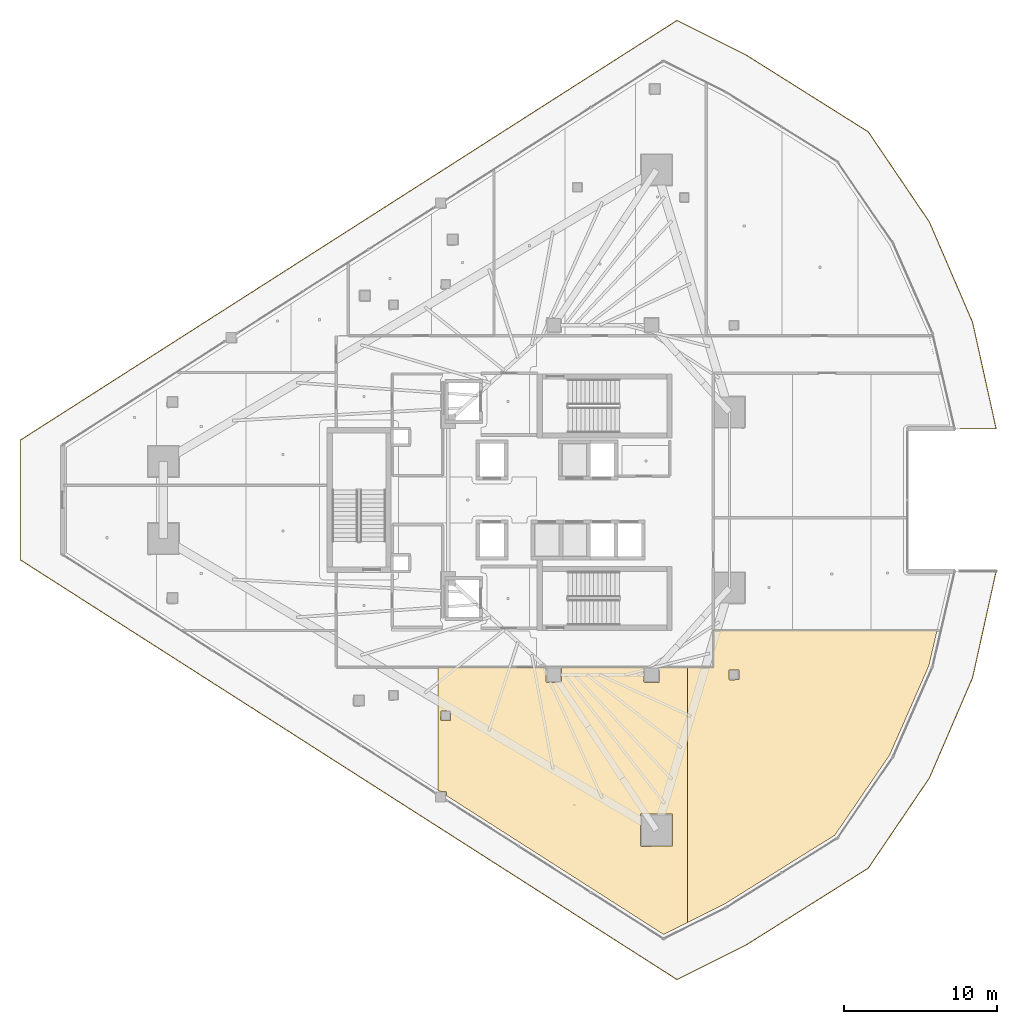
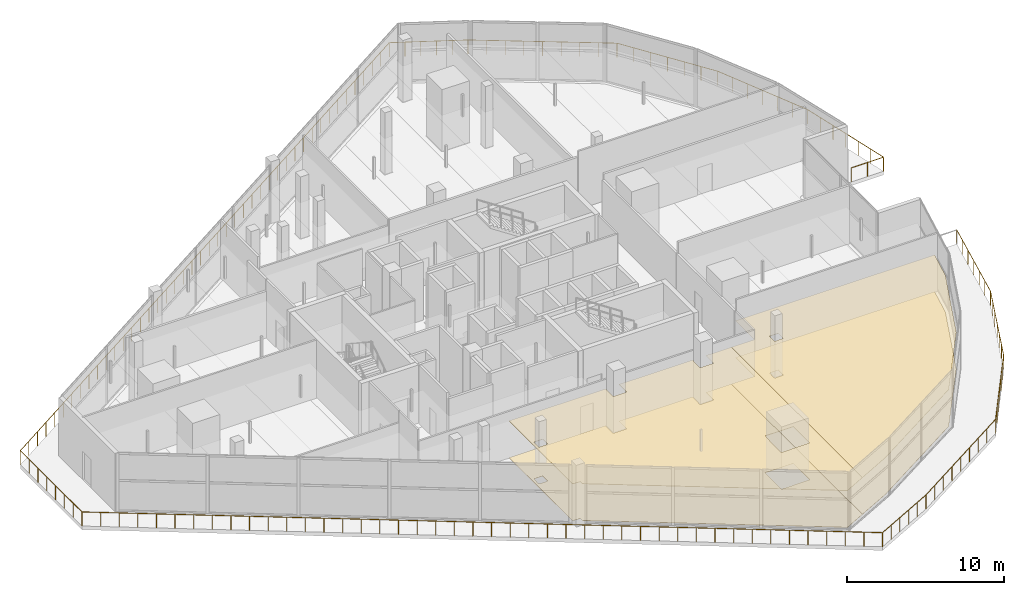
# One storey, part 31 of 36: 4 coverings, 1 railing.
"""IFC4 building model written with IfcOpenShell, lengths in metres."""

from ifc_helpers import new_model, si_unit, direction, frame, origin, origin_2d, place, context, subcontext, project, spatial, polyline, circle, outline, extrude, material, layer, layer_set, type_object, element, save


model = new_model("IFC4")

# Units and contexts
model_context = context("Model", 3, precision=1e-05, world=origin(), true_north=direction((0.0, 1.0)))
body_context = subcontext(model_context, "Body", "Model", "MODEL_VIEW")
ifc_project = project(units=[si_unit("LENGTHUNIT", "METRE"), si_unit("AREAUNIT", "SQUARE_METRE"), si_unit("VOLUMEUNIT", "CUBIC_METRE"), si_unit("PLANEANGLEUNIT", "RADIAN"), si_unit("MASSUNIT", "GRAM", prefix="KILO")], contexts=[model_context])

# Site, building, storey
site_placement = place(None, origin())
site = spatial("IfcSite", under=ifc_project, at=site_placement, CompositionType="ELEMENT")
building_placement = place(site_placement, origin())
building = spatial("IfcBuilding", under=site, at=building_placement, Name="Qorvath Tower", CompositionType="ELEMENT")
storey_placement = place(building_placement, frame((0.0, 0.0, 180.0)))
storey = spatial("IfcBuildingStorey", under=building, at=storey_placement, Name="L41", CompositionType="ELEMENT", Elevation=180.0)

# Coverings
ifc_material_1 = material(Name="Acoustic mineral fibre ceiling tile", Category="gypsum")
ifc_layer_1 = layer(ifc_material_1, 0.030029296875)
ifc_layer_set_1 = layer_set([ifc_layer_1], Name="COV-CEIL")
covering_type_1 = type_object("IfcCoveringType", Name="COV-CEIL", PredefinedType="CEILING", material=ifc_layer_set_1)
covering_1_placement = place(storey_placement, frame((0.0, 0.0, 2.85009765625)))
element("IfcCovering", 1, at=covering_1_placement, inside=storey, type_object=covering_type_1, Name="L41 Suspended Acoustic Ceiling 020", PredefinedType="CEILING", context=body_context, shape_type="SweptSolid", body=[
    extrude(outline(polyline([(-14.847412109375, -27.68359375), (-14.847412109375, -10.962890625), (-16.705322265625, -10.962890625), (-16.70751953125, -11.9423828125), (-17.64990234375, -11.9599609375), (-17.7099609375, -11.89990234375), (-17.694580078125, -10.962890625), (-23.105224609375, -10.962890625), (-23.107666015625, -11.9423828125), (-24.050048828125, -11.9599609375), (-24.110107421875, -11.89990234375), (-24.0947265625, -10.962890625), (-31.19580078125, -10.962890625), (-31.19580078125, -19.00390625), (-31.083740234375, -19.075439453125), (-30.648681640625, -19.093017578125), (-30.631103515625, -19.36474609375), (-16.400390625, -28.460205078125), (-14.847412109375, -27.68359375)]), holes=[polyline([(-17.931640625, -22.627197265625), (-17.9140625, -20.584716796875), (-15.829345703125, -20.584716796875), (-15.829345703125, -22.66943359375), (-17.87158203125, -22.68701171875), (-17.931640625, -22.627197265625)]), polyline([(-31.01220703125, -14.3994140625), (-30.99462890625, -13.806884765625), (-30.35986328125, -13.806884765625), (-30.35986328125, -14.441650390625), (-30.9521484375, -14.459228515625), (-31.01220703125, -14.3994140625)])]), origin(), (0.0, 0.0, 1.0), 0.030029296875),
])
covering_2_placement = place(storey_placement, frame((0.0, 0.0, 2.85009765625)))
element("IfcCovering", 2, at=covering_2_placement, inside=storey, type_object=covering_type_1, Name="L41 Suspended Acoustic Ceiling 021", PredefinedType="CEILING", context=body_context, shape_type="SweptSolid", body=[
    extrude(outline(polyline([(-12.432861328125, -26.476318359375), (-5.192626953125, -21.959228515625), (-1.6025390625, -16.708251953125), (0.96728515625, -10.856689453125), (1.5009765625, -8.554931640625), (-13.136962890625, -8.554931640625), (-13.14208984375, -10.962890625), (-14.847412109375, -10.962890625), (-14.847412109375, -27.68359375), (-12.432861328125, -26.476318359375)]), holes=[polyline([(-12.135009765625, -11.72509765625), (-12.117431640625, -11.132568359375), (-11.482666015625, -11.132568359375), (-11.482666015625, -11.767333984375), (-12.074951171875, -11.784912109375), (-12.135009765625, -11.72509765625)])]), origin(), (0.0, 0.0, 1.0), 0.030029296875),
])
ifc_material_2 = material(Name="Low-VOC modular carpet tile", Category="textile")
ifc_layer_2 = layer(ifc_material_2, 0.014892578125)
ifc_layer_set_2 = layer_set([ifc_layer_2], Name="COV-FLOOR-CPT")
covering_type_2 = type_object("IfcCoveringType", Name="COV-FLOOR-CPT", PredefinedType="FLOORING", material=ifc_layer_set_2)
covering_3_placement = place(storey_placement, origin())
element("IfcCovering", 3, at=covering_3_placement, inside=storey, type_object=covering_type_2, Name="L41 Floor Finish 020", PredefinedType="FLOORING", context=body_context, shape_type="SweptSolid", body=[
    extrude(outline(polyline([(-14.847412109375, -27.68359375), (-14.847412109375, -10.962890625), (-16.705322265625, -10.962890625), (-16.70751953125, -11.9423828125), (-17.64990234375, -11.9599609375), (-17.7099609375, -11.89990234375), (-17.694580078125, -10.962890625), (-23.105224609375, -10.962890625), (-23.107666015625, -11.9423828125), (-24.050048828125, -11.9599609375), (-24.110107421875, -11.89990234375), (-24.0947265625, -10.962890625), (-31.19580078125, -10.962890625), (-31.19580078125, -19.00390625), (-31.083740234375, -19.075439453125), (-30.648681640625, -19.093017578125), (-30.631103515625, -19.36474609375), (-16.400390625, -28.460205078125), (-14.847412109375, -27.68359375)]), holes=[polyline([(-17.931640625, -22.627197265625), (-17.9140625, -20.584716796875), (-15.829345703125, -20.584716796875), (-15.829345703125, -22.66943359375), (-17.87158203125, -22.68701171875), (-17.931640625, -22.627197265625)]), polyline([(-31.01220703125, -14.3994140625), (-30.99462890625, -13.806884765625), (-30.35986328125, -13.806884765625), (-30.35986328125, -14.441650390625), (-30.9521484375, -14.459228515625), (-31.01220703125, -14.3994140625)])]), origin(), (0.0, 0.0, 1.0), 0.014892578125),
])
covering_4_placement = place(storey_placement, origin())
element("IfcCovering", 4, at=covering_4_placement, inside=storey, type_object=covering_type_2, Name="L41 Floor Finish 021", PredefinedType="FLOORING", context=body_context, shape_type="SweptSolid", body=[
    extrude(outline(polyline([(-12.432861328125, -26.476318359375), (-5.192626953125, -21.959228515625), (-1.6025390625, -16.708251953125), (0.96728515625, -10.856689453125), (1.5009765625, -8.554931640625), (-13.136962890625, -8.554931640625), (-13.14208984375, -10.962890625), (-14.847412109375, -10.962890625), (-14.847412109375, -27.68359375), (-12.432861328125, -26.476318359375)]), holes=[polyline([(-12.135009765625, -11.72509765625), (-12.117431640625, -11.132568359375), (-11.482666015625, -11.132568359375), (-11.482666015625, -11.767333984375), (-12.074951171875, -11.784912109375), (-12.135009765625, -11.72509765625)])]), origin(), (0.0, 0.0, 1.0), 0.014892578125),
])

# Railing
ifc_material_3 = material(Name="Laminated safety glass and stainless steel AISI 316", Category="steel")
railing_type = type_object("IfcRailingType", Name="RL-EXT-GRD", PredefinedType="GUARDRAIL", material=ifc_material_3)
railing_placement = place(storey_placement, frame((5.381103515625, -4.66552734375, 0.0)))
element("IfcRailing", 5, at=railing_placement, inside=storey, type_object=railing_type, Name="Loggia Perimeter Guardrail L41-1.1", PredefinedType="GUARDRAIL", context=body_context, shape_type="SweptSolid", body=[
    extrude(circle(Radius=0.02392578125, at=origin_2d()), frame((0.0, 0.0, 1.09619140625), z_axis=(-0.216098211534, -0.976371631589, 0.0), x_axis=(0.976371631589, -0.216098211534, 0.0)), (0.0, 0.0, 1.0), 7.14453125),
    extrude(circle(Radius=0.02392578125, at=origin_2d()), frame((-1.5439453125, -6.975830078125, 1.09619140625), z_axis=(-0.39547356494, -0.918477359238, 0.0), x_axis=(0.918477359238, -0.39547356494, 0.0)), (0.0, 0.0, 1.0), 7.14453125),
    extrude(circle(Radius=0.02392578125, at=origin_2d()), frame((-4.369384765625, -13.537841796875, 1.09619140625), z_axis=(-0.560820188689, -0.827937628061, 0.0), x_axis=(0.827937628061, -0.560820188689, 0.0)), (0.0, 0.0, 1.0), 7.14453125),
    extrude(circle(Radius=0.02392578125, at=origin_2d()), frame((-8.376220703125, -19.453125, 1.09619140625), z_axis=(-0.846502219536, -0.532385191681, 0.0), x_axis=(0.532385191681, -0.846502219536, 0.0)), (0.0, 0.0, 1.0), 9.500732421875),
    extrude(circle(Radius=0.02392578125, at=origin_2d()), frame((-16.418701171875, -24.51123046875, 1.09619140625), z_axis=(-0.894427191, -0.4472135955, 0.0), x_axis=(0.4472135955, -0.894427191, 0.0)), (0.0, 0.0, 1.0), 5.0185546875),
    extrude(circle(Radius=0.02392578125, at=origin_2d()), frame((-20.907470703125, -26.755615234375, 1.09619140625), z_axis=(-0.842601444774, 0.538537654454, 0.0), x_axis=(-0.538537654454, -0.842601444774, 0.0)), (0.0, 0.0, 1.0), 51.052490234375),
    extrude(circle(Radius=0.02392578125, at=origin_2d()), frame((-63.92431640625, 0.738037109375, 1.09619140625), z_axis=(0.0, 1.0, 0.0), x_axis=(-1.0, 0.0, 0.0)), (0.0, 0.0, 1.0), 7.85498046875),
    extrude(circle(Radius=0.02392578125, at=origin_2d()), frame((-63.92431640625, 8.593017578125, 1.09619140625), z_axis=(0.842601444774, 0.538537654454, 0.0), x_axis=(-0.538537654454, 0.842601444774, 0.0)), (0.0, 0.0, 1.0), 51.052490234375),
    extrude(circle(Radius=0.02392578125, at=origin_2d()), frame((-20.907470703125, 36.086669921875, 1.09619140625), z_axis=(0.894427191, -0.4472135955, 0.0), x_axis=(0.4472135955, 0.894427191, 0.0)), (0.0, 0.0, 1.0), 5.0185546875),
    extrude(circle(Radius=0.02392578125, at=origin_2d()), frame((-16.418701171875, 33.84228515625, 1.09619140625), z_axis=(0.846502219536, -0.532385191681, 0.0), x_axis=(0.532385191681, 0.846502219536, 0.0)), (0.0, 0.0, 1.0), 9.500732421875),
    extrude(circle(Radius=0.02392578125, at=origin_2d()), frame((-8.376220703125, 28.7841796875, 1.09619140625), z_axis=(0.560820188689, -0.827937628061, 0.0), x_axis=(0.827937628061, 0.560820188689, 0.0)), (0.0, 0.0, 1.0), 7.14453125),
    extrude(circle(Radius=0.02392578125, at=origin_2d()), frame((-4.369384765625, 22.868896484375, 1.09619140625), z_axis=(0.39547356494, -0.918477359238, 0.0), x_axis=(0.918477359238, 0.39547356494, 0.0)), (0.0, 0.0, 1.0), 7.14453125),
    extrude(circle(Radius=0.02392578125, at=origin_2d()), frame((-1.5439453125, 16.306884765625, 1.09619140625), z_axis=(0.216098211534, -0.976371631589, 0.0), x_axis=(0.976371631589, 0.216098211534, 0.0)), (0.0, 0.0, 1.0), 7.14453125),
    extrude(circle(Radius=0.02392578125, at=origin_2d()), frame((0.0, 9.3310546875, 1.09619140625), z_axis=(-1.0, 0.0, 0.0), x_axis=(0.0, -1.0, 0.0)), (0.0, 0.0, 1.0), 2.36669921875),
    extrude(circle(Radius=0.02099609375, at=origin_2d()), origin(), (0.0, 0.0, 1.0), 1.072021484375),
    extrude(circle(Radius=0.02099609375, at=origin_2d()), frame((-0.25732421875, -1.16259765625, 0.0)), (0.0, 0.0, 1.0), 1.072021484375),
    extrude(circle(Radius=0.02099609375, at=origin_2d()), frame((-0.5146484375, -2.3251953125, 0.0)), (0.0, 0.0, 1.0), 1.072021484375),
    extrude(circle(Radius=0.02099609375, at=origin_2d()), frame((-0.77197265625, -3.48779296875, 0.0)), (0.0, 0.0, 1.0), 1.072021484375),
    extrude(circle(Radius=0.02099609375, at=origin_2d()), frame((-1.029296875, -4.650634765625, 0.0)), (0.0, 0.0, 1.0), 1.072021484375),
    extrude(circle(Radius=0.02099609375, at=origin_2d()), frame((-1.28662109375, -5.813232421875, 0.0)), (0.0, 0.0, 1.0), 1.072021484375),
    extrude(circle(Radius=0.02099609375, at=origin_2d()), frame((-1.5439453125, -6.975830078125, 0.0)), (0.0, 0.0, 1.0), 1.072021484375),
    extrude(circle(Radius=0.02099609375, at=origin_2d()), frame((-2.014892578125, -8.069580078125, 0.0)), (0.0, 0.0, 1.0), 1.072021484375),
    extrude(circle(Radius=0.02099609375, at=origin_2d()), frame((-2.48583984375, -9.1630859375, 0.0)), (0.0, 0.0, 1.0), 1.072021484375),
    extrude(circle(Radius=0.02099609375, at=origin_2d()), frame((-2.95654296875, -10.2568359375, 0.0)), (0.0, 0.0, 1.0), 1.072021484375),
    extrude(circle(Radius=0.02099609375, at=origin_2d()), frame((-3.427490234375, -11.3505859375, 0.0)), (0.0, 0.0, 1.0), 1.072021484375),
    extrude(circle(Radius=0.02099609375, at=origin_2d()), frame((-3.8984375, -12.444091796875, 0.0)), (0.0, 0.0, 1.0), 1.072021484375),
    extrude(circle(Radius=0.02099609375, at=origin_2d()), frame((-4.369384765625, -13.537841796875, 0.0)), (0.0, 0.0, 1.0), 1.072021484375),
    extrude(circle(Radius=0.02099609375, at=origin_2d()), frame((-5.037109375, -14.523681640625, 0.0)), (0.0, 0.0, 1.0), 1.072021484375),
    extrude(circle(Radius=0.02099609375, at=origin_2d()), frame((-5.705078125, -15.509521484375, 0.0)), (0.0, 0.0, 1.0), 1.072021484375),
    extrude(circle(Radius=0.02099609375, at=origin_2d()), frame((-6.372802734375, -16.49560546875, 0.0)), (0.0, 0.0, 1.0), 1.072021484375),
    extrude(circle(Radius=0.02099609375, at=origin_2d()), frame((-7.04052734375, -17.4814453125, 0.0)), (0.0, 0.0, 1.0), 1.072021484375),
    extrude(circle(Radius=0.02099609375, at=origin_2d()), frame((-7.70849609375, -18.46728515625, 0.0)), (0.0, 0.0, 1.0), 1.072021484375),
    extrude(circle(Radius=0.02099609375, at=origin_2d()), frame((-8.376220703125, -19.453125, 0.0)), (0.0, 0.0, 1.0), 1.072021484375),
    extrude(circle(Radius=0.02099609375, at=origin_2d()), frame((-9.381591796875, -20.08544921875, 0.0)), (0.0, 0.0, 1.0), 1.072021484375),
    extrude(circle(Radius=0.02099609375, at=origin_2d()), frame((-10.38671875, -20.7177734375, 0.0)), (0.0, 0.0, 1.0), 1.072021484375),
    extrude(circle(Radius=0.02099609375, at=origin_2d()), frame((-11.39208984375, -21.349853515625, 0.0)), (0.0, 0.0, 1.0), 1.072021484375),
    extrude(circle(Radius=0.02099609375, at=origin_2d()), frame((-12.3974609375, -21.982177734375, 0.0)), (0.0, 0.0, 1.0), 1.072021484375),
    extrude(circle(Radius=0.02099609375, at=origin_2d()), frame((-13.40283203125, -22.614501953125, 0.0)), (0.0, 0.0, 1.0), 1.072021484375),
    extrude(circle(Radius=0.02099609375, at=origin_2d()), frame((-14.408203125, -23.24658203125, 0.0)), (0.0, 0.0, 1.0), 1.072021484375),
    extrude(circle(Radius=0.02099609375, at=origin_2d()), frame((-15.413330078125, -23.87890625, 0.0)), (0.0, 0.0, 1.0), 1.072021484375),
    extrude(circle(Radius=0.02099609375, at=origin_2d()), frame((-16.418701171875, -24.51123046875, 0.0)), (0.0, 0.0, 1.0), 1.072021484375),
    extrude(circle(Radius=0.02099609375, at=origin_2d()), frame((-17.31640625, -24.960205078125, 0.0)), (0.0, 0.0, 1.0), 1.072021484375),
    extrude(circle(Radius=0.02099609375, at=origin_2d()), frame((-18.214111328125, -25.408935546875, 0.0)), (0.0, 0.0, 1.0), 1.072021484375),
    extrude(circle(Radius=0.02099609375, at=origin_2d()), frame((-19.112060546875, -25.85791015625, 0.0)), (0.0, 0.0, 1.0), 1.072021484375),
    extrude(circle(Radius=0.02099609375, at=origin_2d()), frame((-20.009765625, -26.306640625, 0.0)), (0.0, 0.0, 1.0), 1.072021484375),
    extrude(circle(Radius=0.02099609375, at=origin_2d()), frame((-20.907470703125, -26.755615234375, 0.0)), (0.0, 0.0, 1.0), 1.072021484375),
    extrude(circle(Radius=0.02099609375, at=origin_2d()), frame((-21.907958984375, -26.1162109375, 0.0)), (0.0, 0.0, 1.0), 1.072021484375),
    extrude(circle(Radius=0.02099609375, at=origin_2d()), frame((-22.908203125, -25.476806640625, 0.0)), (0.0, 0.0, 1.0), 1.072021484375),
    extrude(circle(Radius=0.02099609375, at=origin_2d()), frame((-23.90869140625, -24.83740234375, 0.0)), (0.0, 0.0, 1.0), 1.072021484375),
    extrude(circle(Radius=0.02099609375, at=origin_2d()), frame((-24.908935546875, -24.197998046875, 0.0)), (0.0, 0.0, 1.0), 1.072021484375),
    extrude(circle(Radius=0.02099609375, at=origin_2d()), frame((-25.909423828125, -23.55859375, 0.0)), (0.0, 0.0, 1.0), 1.072021484375),
    extrude(circle(Radius=0.02099609375, at=origin_2d()), frame((-26.909912109375, -22.919189453125, 0.0)), (0.0, 0.0, 1.0), 1.072021484375),
    extrude(circle(Radius=0.02099609375, at=origin_2d()), frame((-27.91015625, -22.27978515625, 0.0)), (0.0, 0.0, 1.0), 1.072021484375),
    extrude(circle(Radius=0.02099609375, at=origin_2d()), frame((-28.91064453125, -21.640625, 0.0)), (0.0, 0.0, 1.0), 1.072021484375),
    extrude(circle(Radius=0.02099609375, at=origin_2d()), frame((-29.910888671875, -21.001220703125, 0.0)), (0.0, 0.0, 1.0), 1.072021484375),
    extrude(circle(Radius=0.02099609375, at=origin_2d()), frame((-30.911376953125, -20.36181640625, 0.0)), (0.0, 0.0, 1.0), 1.072021484375),
    extrude(circle(Radius=0.02099609375, at=origin_2d()), frame((-31.911865234375, -19.722412109375, 0.0)), (0.0, 0.0, 1.0), 1.072021484375),
    extrude(circle(Radius=0.02099609375, at=origin_2d()), frame((-32.912109375, -19.0830078125, 0.0)), (0.0, 0.0, 1.0), 1.072021484375),
    extrude(circle(Radius=0.02099609375, at=origin_2d()), frame((-33.91259765625, -18.443603515625, 0.0)), (0.0, 0.0, 1.0), 1.072021484375),
    extrude(circle(Radius=0.02099609375, at=origin_2d()), frame((-34.912841796875, -17.80419921875, 0.0)), (0.0, 0.0, 1.0), 1.072021484375),
    extrude(circle(Radius=0.02099609375, at=origin_2d()), frame((-35.913330078125, -17.164794921875, 0.0)), (0.0, 0.0, 1.0), 1.072021484375),
    extrude(circle(Radius=0.02099609375, at=origin_2d()), frame((-36.913818359375, -16.525390625, 0.0)), (0.0, 0.0, 1.0), 1.072021484375),
    extrude(circle(Radius=0.02099609375, at=origin_2d()), frame((-37.9140625, -15.885986328125, 0.0)), (0.0, 0.0, 1.0), 1.072021484375),
    extrude(circle(Radius=0.02099609375, at=origin_2d()), frame((-38.91455078125, -15.24658203125, 0.0)), (0.0, 0.0, 1.0), 1.072021484375),
    extrude(circle(Radius=0.02099609375, at=origin_2d()), frame((-39.914794921875, -14.607177734375, 0.0)), (0.0, 0.0, 1.0), 1.072021484375),
    extrude(circle(Radius=0.02099609375, at=origin_2d()), frame((-40.915283203125, -13.9677734375, 0.0)), (0.0, 0.0, 1.0), 1.072021484375),
    extrude(circle(Radius=0.02099609375, at=origin_2d()), frame((-41.915771484375, -13.328369140625, 0.0)), (0.0, 0.0, 1.0), 1.072021484375),
    extrude(circle(Radius=0.02099609375, at=origin_2d()), frame((-42.916015625, -12.689208984375, 0.0)), (0.0, 0.0, 1.0), 1.072021484375),
    extrude(circle(Radius=0.02099609375, at=origin_2d()), frame((-43.91650390625, -12.0498046875, 0.0)), (0.0, 0.0, 1.0), 1.072021484375),
    extrude(circle(Radius=0.02099609375, at=origin_2d()), frame((-44.9169921875, -11.410400390625, 0.0)), (0.0, 0.0, 1.0), 1.072021484375),
    extrude(circle(Radius=0.02099609375, at=origin_2d()), frame((-45.917236328125, -10.77099609375, 0.0)), (0.0, 0.0, 1.0), 1.072021484375),
    extrude(circle(Radius=0.02099609375, at=origin_2d()), frame((-46.917724609375, -10.131591796875, 0.0)), (0.0, 0.0, 1.0), 1.072021484375),
    extrude(circle(Radius=0.02099609375, at=origin_2d()), frame((-47.91796875, -9.4921875, 0.0)), (0.0, 0.0, 1.0), 1.072021484375),
    extrude(circle(Radius=0.02099609375, at=origin_2d()), frame((-48.91845703125, -8.852783203125, 0.0)), (0.0, 0.0, 1.0), 1.072021484375),
    extrude(circle(Radius=0.02099609375, at=origin_2d()), frame((-49.9189453125, -8.21337890625, 0.0)), (0.0, 0.0, 1.0), 1.072021484375),
    extrude(circle(Radius=0.02099609375, at=origin_2d()), frame((-50.919189453125, -7.573974609375, 0.0)), (0.0, 0.0, 1.0), 1.072021484375),
    extrude(circle(Radius=0.02099609375, at=origin_2d()), frame((-51.919677734375, -6.9345703125, 0.0)), (0.0, 0.0, 1.0), 1.072021484375),
    extrude(circle(Radius=0.02099609375, at=origin_2d()), frame((-52.919921875, -6.295166015625, 0.0)), (0.0, 0.0, 1.0), 1.072021484375),
    extrude(circle(Radius=0.02099609375, at=origin_2d()), frame((-53.92041015625, -5.65576171875, 0.0)), (0.0, 0.0, 1.0), 1.072021484375),
    extrude(circle(Radius=0.02099609375, at=origin_2d()), frame((-54.9208984375, -5.016357421875, 0.0)), (0.0, 0.0, 1.0), 1.072021484375),
    extrude(circle(Radius=0.02099609375, at=origin_2d()), frame((-55.921142578125, -4.376953125, 0.0)), (0.0, 0.0, 1.0), 1.072021484375),
    extrude(circle(Radius=0.02099609375, at=origin_2d()), frame((-56.921630859375, -3.73779296875, 0.0)), (0.0, 0.0, 1.0), 1.072021484375),
    extrude(circle(Radius=0.02099609375, at=origin_2d()), frame((-57.921875, -3.098388671875, 0.0)), (0.0, 0.0, 1.0), 1.072021484375),
    extrude(circle(Radius=0.02099609375, at=origin_2d()), frame((-58.92236328125, -2.458984375, 0.0)), (0.0, 0.0, 1.0), 1.072021484375),
    extrude(circle(Radius=0.02099609375, at=origin_2d()), frame((-59.9228515625, -1.819580078125, 0.0)), (0.0, 0.0, 1.0), 1.072021484375),
    extrude(circle(Radius=0.02099609375, at=origin_2d()), frame((-60.923095703125, -1.18017578125, 0.0)), (0.0, 0.0, 1.0), 1.072021484375),
    extrude(circle(Radius=0.02099609375, at=origin_2d()), frame((-61.923583984375, -0.540771484375, 0.0)), (0.0, 0.0, 1.0), 1.072021484375),
    extrude(circle(Radius=0.02099609375, at=origin_2d()), frame((-62.923828125, 0.0986328125, 0.0)), (0.0, 0.0, 1.0), 1.072021484375),
    extrude(circle(Radius=0.02099609375, at=origin_2d()), frame((-63.92431640625, 0.738037109375, 0.0)), (0.0, 0.0, 1.0), 1.072021484375),
    extrude(circle(Radius=0.02099609375, at=origin_2d()), frame((-63.92431640625, 1.860107421875, 0.0)), (0.0, 0.0, 1.0), 1.072021484375),
    extrude(circle(Radius=0.02099609375, at=origin_2d()), frame((-63.92431640625, 2.982421875, 0.0)), (0.0, 0.0, 1.0), 1.072021484375),
    extrude(circle(Radius=0.02099609375, at=origin_2d()), frame((-63.92431640625, 4.1044921875, 0.0)), (0.0, 0.0, 1.0), 1.072021484375),
    extrude(circle(Radius=0.02099609375, at=origin_2d()), frame((-63.92431640625, 5.2265625, 0.0)), (0.0, 0.0, 1.0), 1.072021484375),
    extrude(circle(Radius=0.02099609375, at=origin_2d()), frame((-63.92431640625, 6.3486328125, 0.0)), (0.0, 0.0, 1.0), 1.072021484375),
    extrude(circle(Radius=0.02099609375, at=origin_2d()), frame((-63.92431640625, 7.470947265625, 0.0)), (0.0, 0.0, 1.0), 1.072021484375),
    extrude(circle(Radius=0.02099609375, at=origin_2d()), frame((-63.92431640625, 8.593017578125, 0.0)), (0.0, 0.0, 1.0), 1.072021484375),
    extrude(circle(Radius=0.02099609375, at=origin_2d()), frame((-62.923828125, 9.232421875, 0.0)), (0.0, 0.0, 1.0), 1.072021484375),
    extrude(circle(Radius=0.02099609375, at=origin_2d()), frame((-61.923583984375, 9.871826171875, 0.0)), (0.0, 0.0, 1.0), 1.072021484375),
    extrude(circle(Radius=0.02099609375, at=origin_2d()), frame((-60.923095703125, 10.51123046875, 0.0)), (0.0, 0.0, 1.0), 1.072021484375),
    extrude(circle(Radius=0.02099609375, at=origin_2d()), frame((-59.9228515625, 11.150634765625, 0.0)), (0.0, 0.0, 1.0), 1.072021484375),
    extrude(circle(Radius=0.02099609375, at=origin_2d()), frame((-58.92236328125, 11.7900390625, 0.0)), (0.0, 0.0, 1.0), 1.072021484375),
    extrude(circle(Radius=0.02099609375, at=origin_2d()), frame((-57.921875, 12.429443359375, 0.0)), (0.0, 0.0, 1.0), 1.072021484375),
    extrude(circle(Radius=0.02099609375, at=origin_2d()), frame((-56.921630859375, 13.06884765625, 0.0)), (0.0, 0.0, 1.0), 1.072021484375),
    extrude(circle(Radius=0.02099609375, at=origin_2d()), frame((-55.921142578125, 13.7080078125, 0.0)), (0.0, 0.0, 1.0), 1.072021484375),
    extrude(circle(Radius=0.02099609375, at=origin_2d()), frame((-54.9208984375, 14.347412109375, 0.0)), (0.0, 0.0, 1.0), 1.072021484375),
    extrude(circle(Radius=0.02099609375, at=origin_2d()), frame((-53.92041015625, 14.98681640625, 0.0)), (0.0, 0.0, 1.0), 1.072021484375),
    extrude(circle(Radius=0.02099609375, at=origin_2d()), frame((-52.919921875, 15.626220703125, 0.0)), (0.0, 0.0, 1.0), 1.072021484375),
    extrude(circle(Radius=0.02099609375, at=origin_2d()), frame((-51.919677734375, 16.265625, 0.0)), (0.0, 0.0, 1.0), 1.072021484375),
    extrude(circle(Radius=0.02099609375, at=origin_2d()), frame((-50.919189453125, 16.905029296875, 0.0)), (0.0, 0.0, 1.0), 1.072021484375),
    extrude(circle(Radius=0.02099609375, at=origin_2d()), frame((-49.9189453125, 17.54443359375, 0.0)), (0.0, 0.0, 1.0), 1.072021484375),
    extrude(circle(Radius=0.02099609375, at=origin_2d()), frame((-48.91845703125, 18.183837890625, 0.0)), (0.0, 0.0, 1.0), 1.072021484375),
    extrude(circle(Radius=0.02099609375, at=origin_2d()), frame((-47.91796875, 18.8232421875, 0.0)), (0.0, 0.0, 1.0), 1.072021484375),
    extrude(circle(Radius=0.02099609375, at=origin_2d()), frame((-46.917724609375, 19.462646484375, 0.0)), (0.0, 0.0, 1.0), 1.072021484375),
    extrude(circle(Radius=0.02099609375, at=origin_2d()), frame((-45.917236328125, 20.10205078125, 0.0)), (0.0, 0.0, 1.0), 1.072021484375),
    extrude(circle(Radius=0.02099609375, at=origin_2d()), frame((-44.9169921875, 20.741455078125, 0.0)), (0.0, 0.0, 1.0), 1.072021484375),
    extrude(circle(Radius=0.02099609375, at=origin_2d()), frame((-43.91650390625, 21.380859375, 0.0)), (0.0, 0.0, 1.0), 1.072021484375),
    extrude(circle(Radius=0.02099609375, at=origin_2d()), frame((-42.916015625, 22.020263671875, 0.0)), (0.0, 0.0, 1.0), 1.072021484375),
    extrude(circle(Radius=0.02099609375, at=origin_2d()), frame((-41.915771484375, 22.659423828125, 0.0)), (0.0, 0.0, 1.0), 1.072021484375),
    extrude(circle(Radius=0.02099609375, at=origin_2d()), frame((-40.915283203125, 23.298828125, 0.0)), (0.0, 0.0, 1.0), 1.072021484375),
    extrude(circle(Radius=0.02099609375, at=origin_2d()), frame((-39.914794921875, 23.938232421875, 0.0)), (0.0, 0.0, 1.0), 1.072021484375),
    extrude(circle(Radius=0.02099609375, at=origin_2d()), frame((-38.91455078125, 24.57763671875, 0.0)), (0.0, 0.0, 1.0), 1.072021484375),
    extrude(circle(Radius=0.02099609375, at=origin_2d()), frame((-37.9140625, 25.217041015625, 0.0)), (0.0, 0.0, 1.0), 1.072021484375),
    extrude(circle(Radius=0.02099609375, at=origin_2d()), frame((-36.913818359375, 25.8564453125, 0.0)), (0.0, 0.0, 1.0), 1.072021484375),
    extrude(circle(Radius=0.02099609375, at=origin_2d()), frame((-35.913330078125, 26.495849609375, 0.0)), (0.0, 0.0, 1.0), 1.072021484375),
    extrude(circle(Radius=0.02099609375, at=origin_2d()), frame((-34.912841796875, 27.13525390625, 0.0)), (0.0, 0.0, 1.0), 1.072021484375),
    extrude(circle(Radius=0.02099609375, at=origin_2d()), frame((-33.91259765625, 27.774658203125, 0.0)), (0.0, 0.0, 1.0), 1.072021484375),
    extrude(circle(Radius=0.02099609375, at=origin_2d()), frame((-32.912109375, 28.4140625, 0.0)), (0.0, 0.0, 1.0), 1.072021484375),
    extrude(circle(Radius=0.02099609375, at=origin_2d()), frame((-31.911865234375, 29.053466796875, 0.0)), (0.0, 0.0, 1.0), 1.072021484375),
    extrude(circle(Radius=0.02099609375, at=origin_2d()), frame((-30.911376953125, 29.69287109375, 0.0)), (0.0, 0.0, 1.0), 1.072021484375),
    extrude(circle(Radius=0.02099609375, at=origin_2d()), frame((-29.910888671875, 30.332275390625, 0.0)), (0.0, 0.0, 1.0), 1.072021484375),
    extrude(circle(Radius=0.02099609375, at=origin_2d()), frame((-28.91064453125, 30.9716796875, 0.0)), (0.0, 0.0, 1.0), 1.072021484375),
    extrude(circle(Radius=0.02099609375, at=origin_2d()), frame((-27.91015625, 31.61083984375, 0.0)), (0.0, 0.0, 1.0), 1.072021484375),
    extrude(circle(Radius=0.02099609375, at=origin_2d()), frame((-26.909912109375, 32.250244140625, 0.0)), (0.0, 0.0, 1.0), 1.072021484375),
    extrude(circle(Radius=0.02099609375, at=origin_2d()), frame((-25.909423828125, 32.8896484375, 0.0)), (0.0, 0.0, 1.0), 1.072021484375),
    extrude(circle(Radius=0.02099609375, at=origin_2d()), frame((-24.908935546875, 33.529052734375, 0.0)), (0.0, 0.0, 1.0), 1.072021484375),
    extrude(circle(Radius=0.02099609375, at=origin_2d()), frame((-23.90869140625, 34.16845703125, 0.0)), (0.0, 0.0, 1.0), 1.072021484375),
    extrude(circle(Radius=0.02099609375, at=origin_2d()), frame((-22.908203125, 34.807861328125, 0.0)), (0.0, 0.0, 1.0), 1.072021484375),
    extrude(circle(Radius=0.02099609375, at=origin_2d()), frame((-21.907958984375, 35.447265625, 0.0)), (0.0, 0.0, 1.0), 1.072021484375),
    extrude(circle(Radius=0.02099609375, at=origin_2d()), frame((-20.907470703125, 36.086669921875, 0.0)), (0.0, 0.0, 1.0), 1.072021484375),
    extrude(circle(Radius=0.02099609375, at=origin_2d()), frame((-20.009765625, 35.6376953125, 0.0)), (0.0, 0.0, 1.0), 1.072021484375),
    extrude(circle(Radius=0.02099609375, at=origin_2d()), frame((-19.112060546875, 35.18896484375, 0.0)), (0.0, 0.0, 1.0), 1.072021484375),
    extrude(circle(Radius=0.02099609375, at=origin_2d()), frame((-18.214111328125, 34.739990234375, 0.0)), (0.0, 0.0, 1.0), 1.072021484375),
    extrude(circle(Radius=0.02099609375, at=origin_2d()), frame((-17.31640625, 34.291259765625, 0.0)), (0.0, 0.0, 1.0), 1.072021484375),
    extrude(circle(Radius=0.02099609375, at=origin_2d()), frame((-16.418701171875, 33.84228515625, 0.0)), (0.0, 0.0, 1.0), 1.072021484375),
    extrude(circle(Radius=0.02099609375, at=origin_2d()), frame((-15.413330078125, 33.2099609375, 0.0)), (0.0, 0.0, 1.0), 1.072021484375),
    extrude(circle(Radius=0.02099609375, at=origin_2d()), frame((-14.408203125, 32.57763671875, 0.0)), (0.0, 0.0, 1.0), 1.072021484375),
    extrude(circle(Radius=0.02099609375, at=origin_2d()), frame((-13.40283203125, 31.945556640625, 0.0)), (0.0, 0.0, 1.0), 1.072021484375),
    extrude(circle(Radius=0.02099609375, at=origin_2d()), frame((-12.3974609375, 31.313232421875, 0.0)), (0.0, 0.0, 1.0), 1.072021484375),
    extrude(circle(Radius=0.02099609375, at=origin_2d()), frame((-11.39208984375, 30.680908203125, 0.0)), (0.0, 0.0, 1.0), 1.072021484375),
    extrude(circle(Radius=0.02099609375, at=origin_2d()), frame((-10.38671875, 30.048828125, 0.0)), (0.0, 0.0, 1.0), 1.072021484375),
    extrude(circle(Radius=0.02099609375, at=origin_2d()), frame((-9.381591796875, 29.41650390625, 0.0)), (0.0, 0.0, 1.0), 1.072021484375),
    extrude(circle(Radius=0.02099609375, at=origin_2d()), frame((-8.376220703125, 28.7841796875, 0.0)), (0.0, 0.0, 1.0), 1.072021484375),
    extrude(circle(Radius=0.02099609375, at=origin_2d()), frame((-7.70849609375, 27.79833984375, 0.0)), (0.0, 0.0, 1.0), 1.072021484375),
    extrude(circle(Radius=0.02099609375, at=origin_2d()), frame((-7.04052734375, 26.8125, 0.0)), (0.0, 0.0, 1.0), 1.072021484375),
    extrude(circle(Radius=0.02099609375, at=origin_2d()), frame((-6.372802734375, 25.82666015625, 0.0)), (0.0, 0.0, 1.0), 1.072021484375),
    extrude(circle(Radius=0.02099609375, at=origin_2d()), frame((-5.705078125, 24.840576171875, 0.0)), (0.0, 0.0, 1.0), 1.072021484375),
    extrude(circle(Radius=0.02099609375, at=origin_2d()), frame((-5.037109375, 23.854736328125, 0.0)), (0.0, 0.0, 1.0), 1.072021484375),
    extrude(circle(Radius=0.02099609375, at=origin_2d()), frame((-4.369384765625, 22.868896484375, 0.0)), (0.0, 0.0, 1.0), 1.072021484375),
    extrude(circle(Radius=0.02099609375, at=origin_2d()), frame((-3.8984375, 21.775146484375, 0.0)), (0.0, 0.0, 1.0), 1.072021484375),
    extrude(circle(Radius=0.02099609375, at=origin_2d()), frame((-3.427490234375, 20.681640625, 0.0)), (0.0, 0.0, 1.0), 1.072021484375),
    extrude(circle(Radius=0.02099609375, at=origin_2d()), frame((-2.95654296875, 19.587890625, 0.0)), (0.0, 0.0, 1.0), 1.072021484375),
    extrude(circle(Radius=0.02099609375, at=origin_2d()), frame((-2.48583984375, 18.494140625, 0.0)), (0.0, 0.0, 1.0), 1.072021484375),
    extrude(circle(Radius=0.02099609375, at=origin_2d()), frame((-2.014892578125, 17.400634765625, 0.0)), (0.0, 0.0, 1.0), 1.072021484375),
    extrude(circle(Radius=0.02099609375, at=origin_2d()), frame((-1.5439453125, 16.306884765625, 0.0)), (0.0, 0.0, 1.0), 1.072021484375),
    extrude(circle(Radius=0.02099609375, at=origin_2d()), frame((-1.28662109375, 15.144287109375, 0.0)), (0.0, 0.0, 1.0), 1.072021484375),
    extrude(circle(Radius=0.02099609375, at=origin_2d()), frame((-1.029296875, 13.981689453125, 0.0)), (0.0, 0.0, 1.0), 1.072021484375),
    extrude(circle(Radius=0.02099609375, at=origin_2d()), frame((-0.77197265625, 12.81884765625, 0.0)), (0.0, 0.0, 1.0), 1.072021484375),
    extrude(circle(Radius=0.02099609375, at=origin_2d()), frame((-0.5146484375, 11.65625, 0.0)), (0.0, 0.0, 1.0), 1.072021484375),
    extrude(circle(Radius=0.02099609375, at=origin_2d()), frame((-0.25732421875, 10.49365234375, 0.0)), (0.0, 0.0, 1.0), 1.072021484375),
    extrude(circle(Radius=0.02099609375, at=origin_2d()), frame((0.0, 9.3310546875, 0.0)), (0.0, 0.0, 1.0), 1.072021484375),
    extrude(circle(Radius=0.02099609375, at=origin_2d()), frame((-1.183349609375, 9.3310546875, 0.0)), (0.0, 0.0, 1.0), 1.072021484375),
    extrude(circle(Radius=0.02099609375, at=origin_2d()), frame((-2.36669921875, 9.3310546875, 0.0)), (0.0, 0.0, 1.0), 1.072021484375),
])

save(model, "model.ifc")
